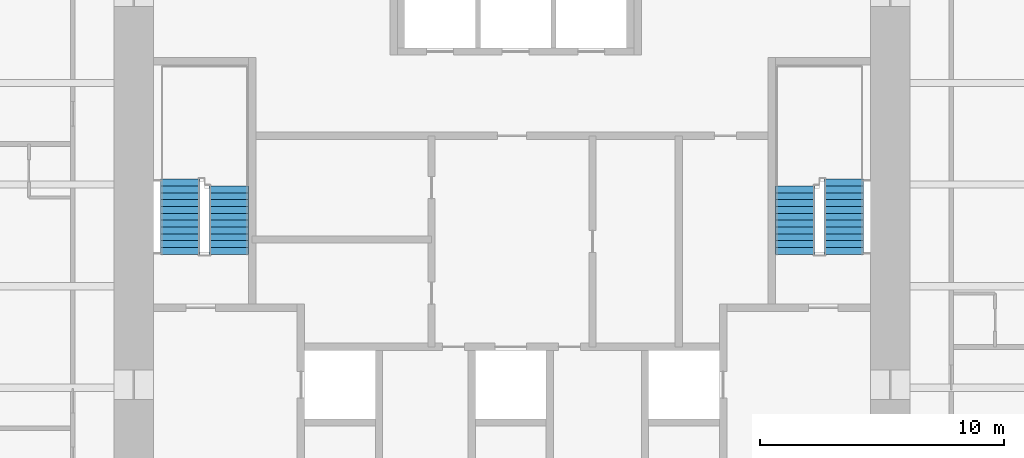
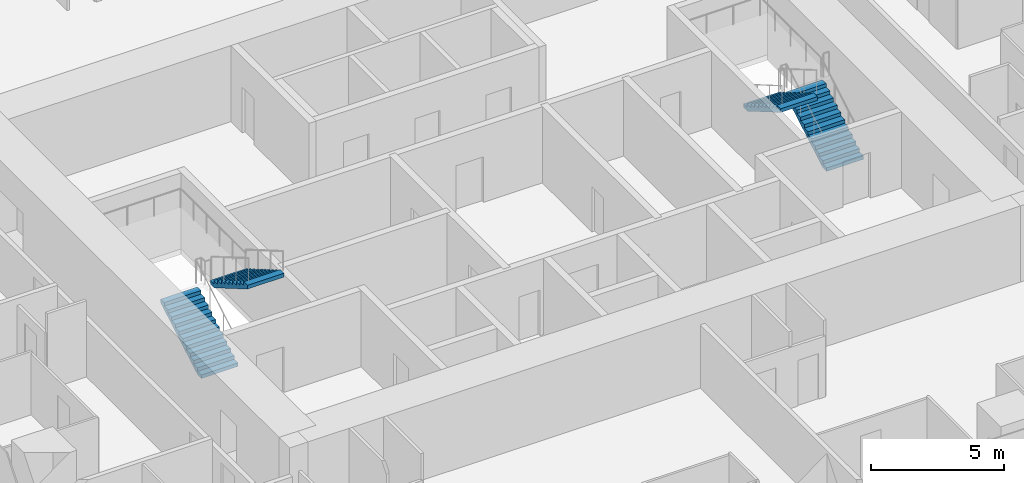
# One storey, part 12 of 13: 4 stair flights, 2 elements without a shape of their own.
"""IFC4 building model written with IfcOpenShell, lengths in metres."""

from ifc_helpers import new_model, si_unit, direction, frame, origin, place, context, subcontext, project, spatial, polyline, outline, extrude, material, type_object, element, aggregate, save


model = new_model("IFC4")

# Units and contexts
model_context = context("Model", 3, precision=1e-05, world=origin(), true_north=direction((0.0, 1.0)))
body_context = subcontext(model_context, "Body", "Model", "MODEL_VIEW")
ifc_project = project(units=[si_unit("LENGTHUNIT", "METRE"), si_unit("AREAUNIT", "SQUARE_METRE"), si_unit("VOLUMEUNIT", "CUBIC_METRE"), si_unit("PLANEANGLEUNIT", "RADIAN"), si_unit("MASSUNIT", "GRAM", prefix="KILO")], contexts=[model_context])

# Site, building, storey
site_placement = place(None, origin())
site = spatial("IfcSite", under=ifc_project, at=site_placement, CompositionType="ELEMENT")
building_placement = place(site_placement, origin())
building = spatial("IfcBuilding", under=site, at=building_placement, Name="Khuree Lantern Residences", CompositionType="ELEMENT")
storey_placement = place(building_placement, frame((0.0, 0.0, 255.75)))
storey = spatial("IfcBuildingStorey", under=building, at=storey_placement, Name="L64", CompositionType="ELEMENT", Elevation=255.75)

# Stair, stair flights
ifc_material = material(Name="Concrete C40/50", Category="concrete")
stair_type = type_object("IfcStairType", Name="STAIR ST1 HALF TURN 3600", PredefinedType="HALF_TURN_STAIR", material=ifc_material)
stair_1_placement = place(storey_placement, origin())
stair_1 = element("IfcStair", 1, at=stair_1_placement, inside=storey, type_object=stair_type, Name="Stair ST1", PredefinedType="HALF_TURN_STAIR")
stair_flight_type = type_object("IfcStairFlightType", Name="STAIR FLIGHT SF1 1600", PredefinedType="STRAIGHT", material=ifc_material)
stair_flight_1_placement = place(storey_placement, frame((-13.60009765625, -2.860107421875, 0.0), z_axis=(0.0, 0.0, 1.0), x_axis=(0.0, 1.0, 0.0)))
stair_flight_1 = element("IfcStairFlight", 2, at=stair_flight_1_placement, type_object=stair_flight_type, Name="ST1 flight 1", NumberOfRisers=12, NumberOfTreads=11, PredefinedType="STRAIGHT", RiserHeight=0.163043478, TreadLength=0.28, context=body_context, shape_type="SweptSolid", body=[
    extrude(outline(polyline([(0.0, 0.0), (0.0, 0.1630859375), (0.280029296875, 0.1630859375), (0.280029296875, 0.326171875), (0.56005859375, 0.326171875), (0.56005859375, 0.489013671875), (0.840087890625, 0.489013671875), (0.840087890625, 0.652099609375), (1.1201171875, 0.652099609375), (1.1201171875, 0.815185546875), (1.39990234375, 0.815185546875), (1.39990234375, 0.978271484375), (1.679931640625, 0.978271484375), (1.679931640625, 1.141357421875), (1.9599609375, 1.141357421875), (1.9599609375, 1.304443359375), (2.239990234375, 1.304443359375), (2.239990234375, 1.46728515625), (2.52001953125, 1.46728515625), (2.52001953125, 1.63037109375), (2.800048828125, 1.63037109375), (2.800048828125, 1.79345703125), (3.080078125, 1.79345703125), (3.080078125, 1.95654296875), (3.080078125, 1.6201171875), (0.2978515625, 0.0), (0.0, 0.0)])), frame((0.0, 0.800048828125, 0.0), z_axis=(0.0, -1.0, 0.0), x_axis=(1.0, 0.0, 0.0)), (0.0, 0.0, 1.0), 1.60009765625),
])
stair_flight_2_placement = place(storey_placement, frame((-11.60009765625, -0.06005859375, 1.95654296875), z_axis=(0.0, 0.0, 1.0), x_axis=(0.0, -1.0, 0.0)))
stair_flight_2 = element("IfcStairFlight", 3, at=stair_flight_2_placement, type_object=stair_flight_type, Name="ST1 flight 2", NumberOfRisers=11, NumberOfTreads=10, PredefinedType="STRAIGHT", RiserHeight=0.163043478, TreadLength=0.28, context=body_context, shape_type="SweptSolid", body=[
    extrude(outline(polyline([(0.0, 0.0), (0.0, 0.1630859375), (0.280029296875, 0.1630859375), (0.280029296875, 0.326171875), (0.56005859375, 0.326171875), (0.56005859375, 0.489013671875), (0.840087890625, 0.489013671875), (0.840087890625, 0.652099609375), (1.1201171875, 0.652099609375), (1.1201171875, 0.815185546875), (1.39990234375, 0.815185546875), (1.39990234375, 0.978271484375), (1.679931640625, 0.978271484375), (1.679931640625, 1.141357421875), (1.9599609375, 1.141357421875), (1.9599609375, 1.304443359375), (2.239990234375, 1.304443359375), (2.239990234375, 1.46728515625), (2.52001953125, 1.46728515625), (2.52001953125, 1.63037109375), (2.800048828125, 1.63037109375), (2.800048828125, 1.79345703125), (2.800048828125, 1.45703125), (0.2978515625, 0.0), (0.0, 0.0)])), frame((0.0, 0.800048828125, 0.0), z_axis=(0.0, -1.0, 0.0), x_axis=(1.0, 0.0, 0.0)), (0.0, 0.0, 1.0), 1.60009765625),
])
aggregate(stair_1, [stair_flight_1, stair_flight_2])

stair_2_placement = place(storey_placement, origin())
stair_2 = element("IfcStair", 4, at=stair_2_placement, inside=storey, type_object=stair_type, Name="Stair ST2", PredefinedType="HALF_TURN_STAIR")
stair_flight_3_placement = place(storey_placement, frame((13.60009765625, -2.860107421875, 0.0), z_axis=(0.0, 0.0, 1.0), x_axis=(0.0, 1.0, 0.0)))
stair_flight_3 = element("IfcStairFlight", 5, at=stair_flight_3_placement, type_object=stair_flight_type, Name="ST2 flight 1", NumberOfRisers=12, NumberOfTreads=11, PredefinedType="STRAIGHT", RiserHeight=0.163043478, TreadLength=0.28, context=body_context, shape_type="SweptSolid", body=[
    extrude(outline(polyline([(0.0, 0.0), (0.0, 0.1630859375), (0.280029296875, 0.1630859375), (0.280029296875, 0.326171875), (0.56005859375, 0.326171875), (0.56005859375, 0.489013671875), (0.840087890625, 0.489013671875), (0.840087890625, 0.652099609375), (1.1201171875, 0.652099609375), (1.1201171875, 0.815185546875), (1.39990234375, 0.815185546875), (1.39990234375, 0.978271484375), (1.679931640625, 0.978271484375), (1.679931640625, 1.141357421875), (1.9599609375, 1.141357421875), (1.9599609375, 1.304443359375), (2.239990234375, 1.304443359375), (2.239990234375, 1.46728515625), (2.52001953125, 1.46728515625), (2.52001953125, 1.63037109375), (2.800048828125, 1.63037109375), (2.800048828125, 1.79345703125), (3.080078125, 1.79345703125), (3.080078125, 1.95654296875), (3.080078125, 1.6201171875), (0.2978515625, 0.0), (0.0, 0.0)])), frame((0.0, 0.800048828125, 0.0), z_axis=(0.0, -1.0, 0.0), x_axis=(1.0, 0.0, 0.0)), (0.0, 0.0, 1.0), 1.60009765625),
])
stair_flight_4_placement = place(storey_placement, frame((11.60009765625, -0.06005859375, 1.95654296875), z_axis=(0.0, 0.0, 1.0), x_axis=(0.0, -1.0, 0.0)))
stair_flight_4 = element("IfcStairFlight", 6, at=stair_flight_4_placement, type_object=stair_flight_type, Name="ST2 flight 2", NumberOfRisers=11, NumberOfTreads=10, PredefinedType="STRAIGHT", RiserHeight=0.163043478, TreadLength=0.28, context=body_context, shape_type="SweptSolid", body=[
    extrude(outline(polyline([(0.0, 0.0), (0.0, 0.1630859375), (0.280029296875, 0.1630859375), (0.280029296875, 0.326171875), (0.56005859375, 0.326171875), (0.56005859375, 0.489013671875), (0.840087890625, 0.489013671875), (0.840087890625, 0.652099609375), (1.1201171875, 0.652099609375), (1.1201171875, 0.815185546875), (1.39990234375, 0.815185546875), (1.39990234375, 0.978271484375), (1.679931640625, 0.978271484375), (1.679931640625, 1.141357421875), (1.9599609375, 1.141357421875), (1.9599609375, 1.304443359375), (2.239990234375, 1.304443359375), (2.239990234375, 1.46728515625), (2.52001953125, 1.46728515625), (2.52001953125, 1.63037109375), (2.800048828125, 1.63037109375), (2.800048828125, 1.79345703125), (2.800048828125, 1.45703125), (0.2978515625, 0.0), (0.0, 0.0)])), frame((0.0, 0.800048828125, 0.0), z_axis=(0.0, -1.0, 0.0), x_axis=(1.0, 0.0, 0.0)), (0.0, 0.0, 1.0), 1.60009765625),
])
aggregate(stair_2, [stair_flight_3, stair_flight_4])

save(model, "model.ifc")
